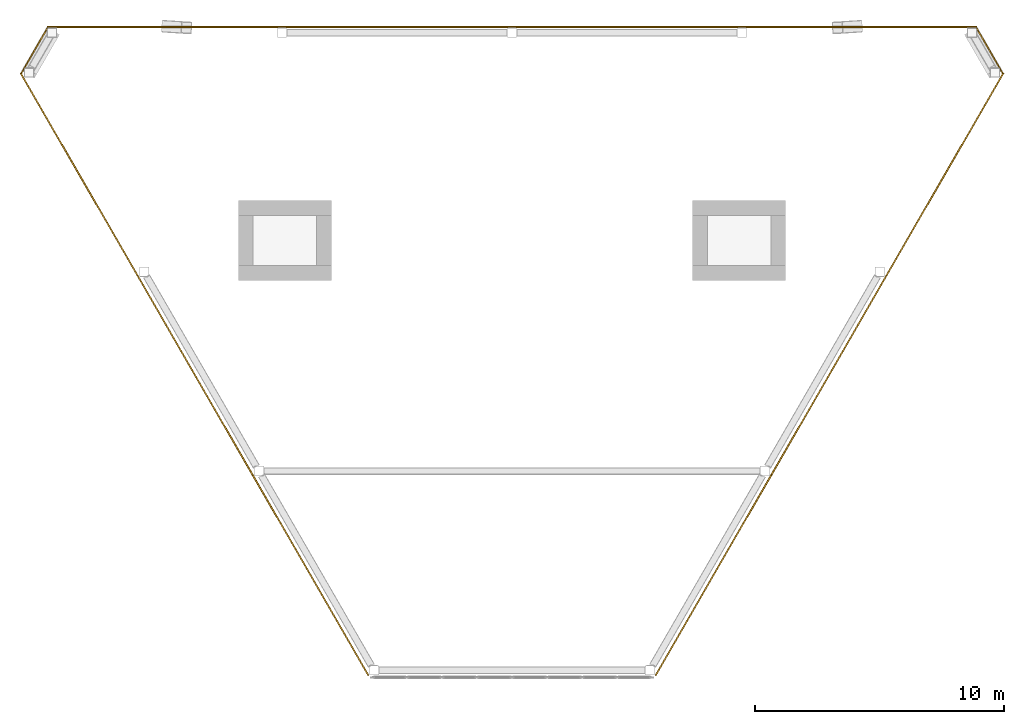
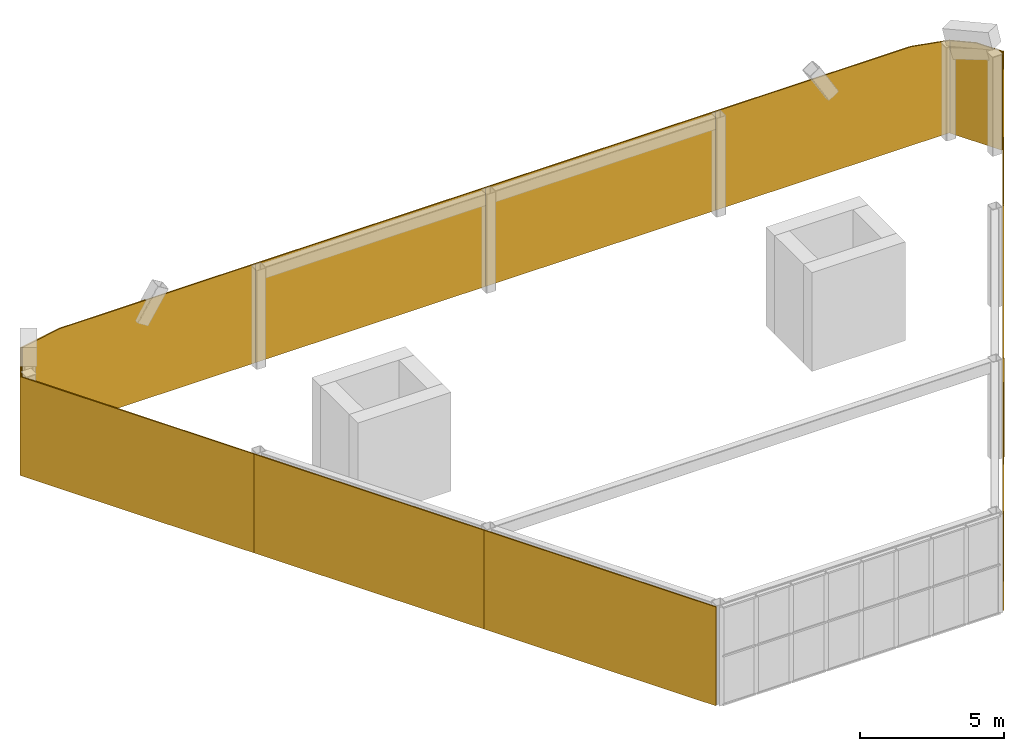
# One storey, part 4 of 4: 12 coverings.
"""IFC4 building model written with IfcOpenShell, lengths in metres."""

from ifc_helpers import new_model, si_unit, direction, frame, origin, place, context, subcontext, project, spatial, polyline, outline, extrude, material, layer, layer_set, type_object, element, save


model = new_model("IFC4")

# Units and contexts
model_context = context("Model", 3, precision=1e-05, world=origin(), true_north=direction((0.0, 1.0)))
body_context = subcontext(model_context, "Body", "Model", "MODEL_VIEW")
ifc_project = project(units=[si_unit("LENGTHUNIT", "METRE"), si_unit("AREAUNIT", "SQUARE_METRE"), si_unit("VOLUMEUNIT", "CUBIC_METRE"), si_unit("PLANEANGLEUNIT", "RADIAN"), si_unit("MASSUNIT", "GRAM", prefix="KILO")], contexts=[model_context])

# Site, building, storey
site_placement = place(None, origin())
site = spatial("IfcSite", under=ifc_project, at=site_placement, CompositionType="ELEMENT")
building_placement = place(site_placement, origin())
building = spatial("IfcBuilding", under=site, at=building_placement, Name="Aloe Facet Convention Tower", CompositionType="ELEMENT")
storey_placement = place(building_placement, frame((0.0, 0.0, 289.699951171875)))
storey = spatial("IfcBuildingStorey", under=building, at=storey_placement, Name="C2", CompositionType="ELEMENT", Elevation=289.699951171875)

# Coverings
ifc_material = material(Name="Perforated aluminium sheet, powder coated", Category="aluminium")
ifc_layer = layer(ifc_material, 0.050048828125)
ifc_layer_set = layer_set([ifc_layer], Name="EV-SCREEN-CROWN")
covering_type = type_object("IfcCoveringType", Name="EV-SCREEN-CROWN", PredefinedType="CLADDING", material=ifc_layer_set)
covering_1_placement = place(storey_placement, frame((98.68603515625, 135.0, 0.0), z_axis=(0.0, -1.0, 0.0), x_axis=(0.0, 0.0, 1.0)))
element("IfcCovering", 1, at=covering_1_placement, inside=storey, type_object=covering_type, Name="SCREEN C2-N01", PredefinedType="CLADDING", context=body_context, shape_type="SweptSolid", body=[
    extrude(outline(polyline([(0.0, 0.0), (3.916015625, 0.0), (4.199951171875, 1.5771484375), (4.199951171875, 9.44287109375), (0.0, 9.44287109375), (0.0, 0.0)])), origin(), (0.0, 0.0, -1.0), 0.050048828125),
])
for number, where, z_axis, x_axis, name in (
    (2, (89.2431640625, 135.0, 0.0), (0.0, -1.0, 0.0), (0.0, 0.0, 1.0), "SCREEN C2-N02"),
    (3, (80.0, 135.0, 0.0), (0.0, -1.0, 0.0), (0.0, 0.0, 1.0), "SCREEN C2-N03"),
):
    element("IfcCovering", number, at=place(storey_placement, frame(where, z_axis=z_axis, x_axis=x_axis)), inside=storey, type_object=covering_type, Name=name, PredefinedType="CLADDING", context=body_context, shape_type="SweptSolid", body=[
        extrude(outline(polyline([(0.0, 0.0), (4.199951171875, 0.0), (4.199951171875, 9.2431640625), (0.0, 9.2431640625), (0.0, 0.0)])), origin(), (0.0, 0.0, -1.0), 0.050048828125),
    ])
covering_2_placement = place(storey_placement, frame((70.7568359375, 135.0, 0.0), z_axis=(0.0, -1.0, 0.0), x_axis=(0.0, 0.0, 1.0)))
element("IfcCovering", 4, at=covering_2_placement, inside=storey, type_object=covering_type, Name="SCREEN C2-N04", PredefinedType="CLADDING", context=body_context, shape_type="SweptSolid", body=[
    extrude(outline(polyline([(0.0, 0.0), (4.199951171875, 0.0), (4.199951171875, 7.86572265625), (3.916015625, 9.44287109375), (0.0, 9.44287109375), (0.0, 0.0)])), origin(), (0.0, 0.0, -1.0), 0.050048828125),
])
covering_3_placement = place(storey_placement, frame((61.31396484375, 135.0, 0.0), z_axis=(-0.86597063598, 0.500094848587, 6.136408e-06), x_axis=(5.313949e-06, -3.068786e-06, 0.999999999981)))
element("IfcCovering", 5, at=covering_3_placement, inside=storey, type_object=covering_type, Name="SCREEN C2-Y05", PredefinedType="CLADDING", context=body_context, shape_type="SweptSolid", body=[
    extrude(outline(polyline([(0.0, 0.0), (3.9335937499259392, 1.6659417536817977e-21), (4.199951172112227, -1.046765704795871), (4.199951171805955, -2.084568331557902), (1.0029823750404472e-11, -2.084568331557902), (0.0, 0.0)])), origin(), (0.0, 0.0, -1.0), 0.050048828125),
])
covering_4_placement = place(storey_placement, frame((60.271484375, 133.19482421875, 0.0), z_axis=(0.866024272797, 0.500001958922, 0.0), x_axis=(0.0, 0.0, 1.0)))
element("IfcCovering", 6, at=covering_4_placement, inside=storey, type_object=covering_type, Name="SCREEN C2-W06", PredefinedType="CLADDING", context=body_context, shape_type="SweptSolid", body=[
    extrude(outline(polyline([(0.0, 0.0), (4.199951171875, 0.0), (4.199951171875, 9.400842075219284), (0.0, 9.400842075219284), (0.0, 0.0)])), origin(), (0.0, 0.0, -1.0), 0.050048828125),
])
covering_5_placement = place(storey_placement, frame((64.971923828125, 125.053466796875, 0.0), z_axis=(0.866027240882, 0.49999681804, 0.0), x_axis=(0.0, 0.0, 1.0)))
element("IfcCovering", 7, at=covering_5_placement, inside=storey, type_object=covering_type, Name="SCREEN C2-W07", PredefinedType="CLADDING", context=body_context, shape_type="SweptSolid", body=[
    extrude(outline(polyline([(0.0, 0.0), (4.199951171875, 0.0), (4.199951171875, 9.243222885629816), (0.0, 9.243222885629816), (0.0, 0.0)])), origin(), (0.0, 0.0, -1.0), 0.050048828125),
])
for number, where, z_axis, x_axis, name in (
    (8, (69.593505859375, 117.048583984375, 0.0), (0.866021935375, 0.500006007413, 0.0), (0.0, 0.0, 1.0), "SCREEN C2-W08"),
    (9, (85.748291015625, 108.98046875, 0.0), (-0.866021935375, 0.500006007413, 0.0), (0.0, 0.0, 1.0), "SCREEN C2-E10"),
):
    element("IfcCovering", number, at=place(storey_placement, frame(where, z_axis=z_axis, x_axis=x_axis)), inside=storey, type_object=covering_type, Name=name, PredefinedType="CLADDING", context=body_context, shape_type="SweptSolid", body=[
        extrude(outline(polyline([(0.0, 0.0), (4.199951171875, 0.0), (4.199951171875, 9.316294316353135), (0.0, 9.316294316353135), (0.0, 0.0)])), origin(), (0.0, 0.0, -1.0), 0.050048828125),
    ])
covering_6_placement = place(storey_placement, frame((90.406494140625, 117.048583984375, 0.0), z_axis=(-0.866027240882, 0.49999681804, 0.0), x_axis=(0.0, 0.0, 1.0)))
element("IfcCovering", 10, at=covering_6_placement, inside=storey, type_object=covering_type, Name="SCREEN C2-E11", PredefinedType="CLADDING", context=body_context, shape_type="SweptSolid", body=[
    extrude(outline(polyline([(0.0, 0.0), (4.199951171875, 0.0), (4.199951171875, 9.243222885629816), (0.0, 9.243222885629816), (0.0, 0.0)])), origin(), (0.0, 0.0, -1.0), 0.050048828125),
])
covering_7_placement = place(storey_placement, frame((95.028076171875, 125.053466796875, 0.0), z_axis=(-0.866024272797, 0.500001958922, 0.0), x_axis=(0.0, 0.0, 1.0)))
element("IfcCovering", 11, at=covering_7_placement, inside=storey, type_object=covering_type, Name="SCREEN C2-E12", PredefinedType="CLADDING", context=body_context, shape_type="SweptSolid", body=[
    extrude(outline(polyline([(0.0, 0.0), (4.199951171875, 0.0), (4.199951171875, 9.400842075219284), (0.0, 9.400842075219284), (0.0, 0.0)])), origin(), (0.0, 0.0, -1.0), 0.050048828125),
])
covering_8_placement = place(storey_placement, frame((99.728515625, 133.19482421875, 0.0), z_axis=(0.86597063598, 0.500094848587, 6.136408e-06), x_axis=(-5.313949e-06, -3.068786e-06, 0.999999999981)))
element("IfcCovering", 12, at=covering_8_placement, inside=storey, type_object=covering_type, Name="SCREEN C2-X13", PredefinedType="CLADDING", context=body_context, shape_type="SweptSolid", body=[
    extrude(outline(polyline([(0.0, 0.0), (4.199951171795925, -1.778748509718717e-21), (4.199951172102197, -1.0378026267620313), (3.9335937499159095, -2.084568331557902), (-1.0029823750404472e-11, -2.084568331557902), (0.0, 0.0)])), origin(), (0.0, 0.0, -1.0), 0.050048828125),
])

save(model, "model.ifc")
